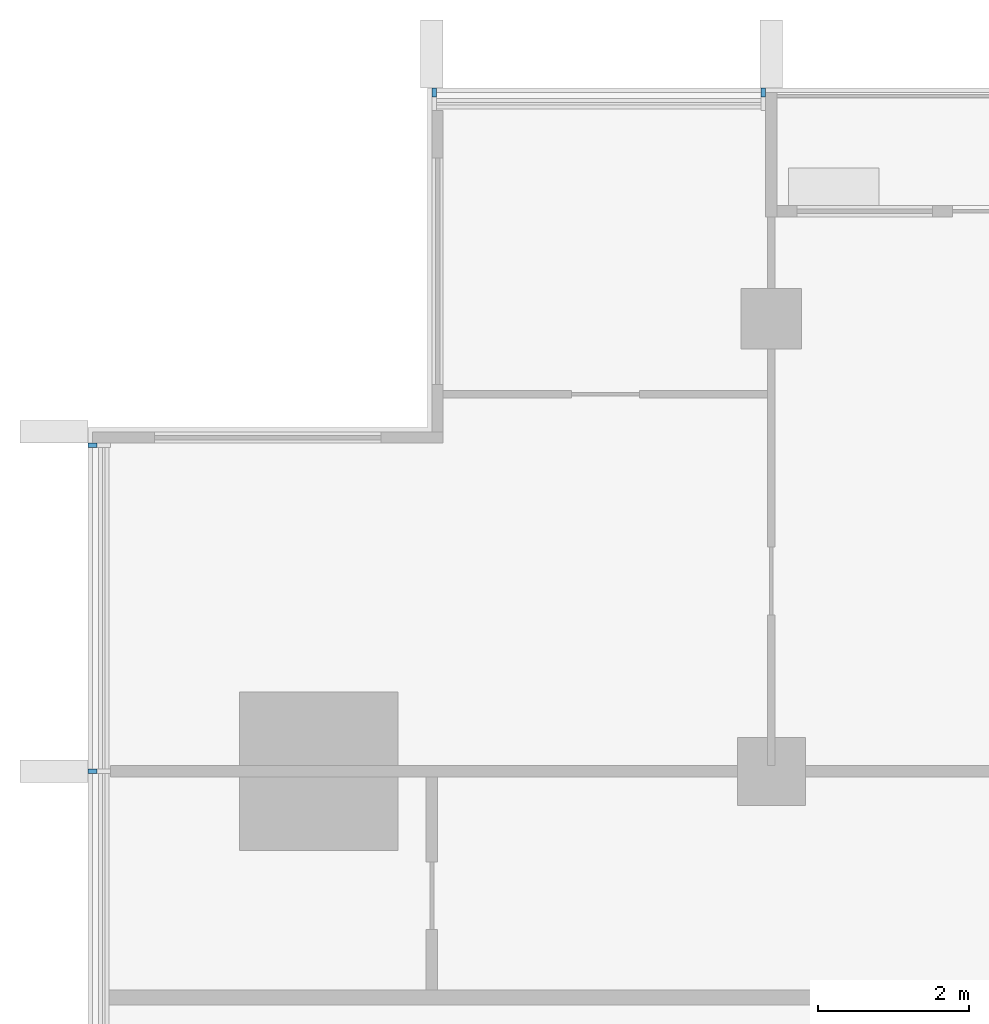
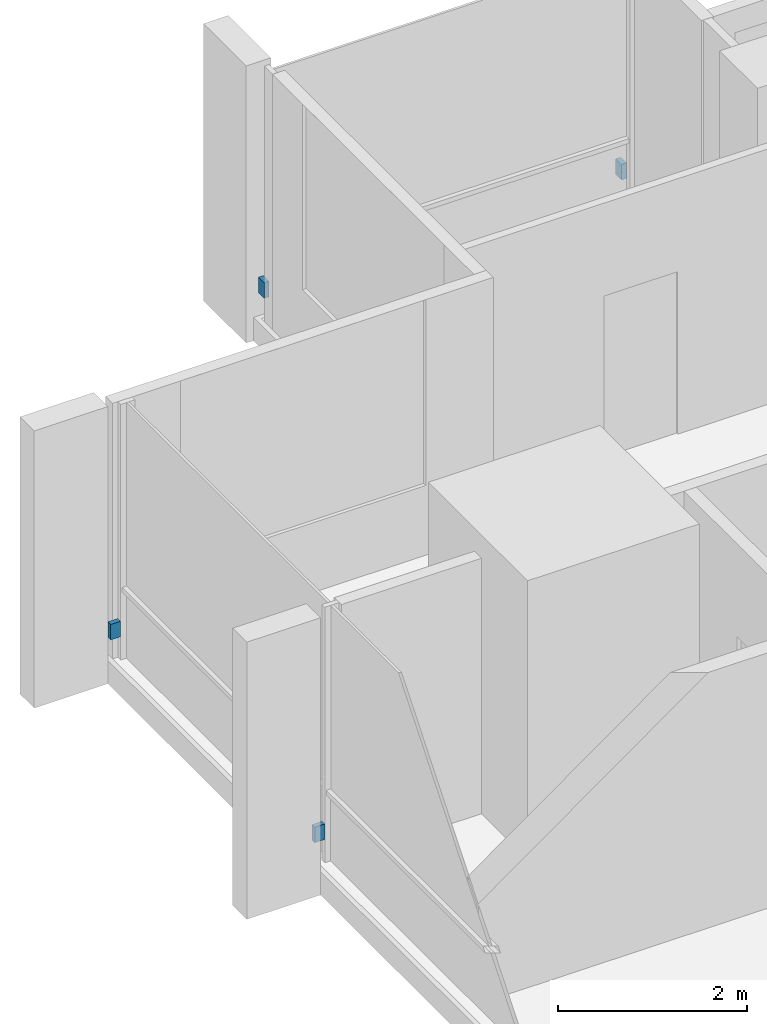
# One storey, part 13 of 15: 4 discrete accessories.
"""IFC4 building model written with IfcOpenShell, lengths in metres."""

from ifc_helpers import new_model, si_unit, direction, frame, origin, origin_2d, place, context, subcontext, project, spatial, rectangle, extrude, material, type_object, element, save


model = new_model("IFC4")

# Units and contexts
model_context = context("Model", 3, precision=1e-05, world=origin(), true_north=direction((0.0, 1.0)))
body_context = subcontext(model_context, "Body", "Model", "MODEL_VIEW")
ifc_project = project(units=[si_unit("LENGTHUNIT", "METRE"), si_unit("AREAUNIT", "SQUARE_METRE"), si_unit("VOLUMEUNIT", "CUBIC_METRE"), si_unit("PLANEANGLEUNIT", "RADIAN"), si_unit("MASSUNIT", "GRAM", prefix="KILO")], contexts=[model_context])

# Site, building, storey
site_placement = place(None, origin())
site = spatial("IfcSite", under=ifc_project, at=site_placement, CompositionType="ELEMENT")
building_placement = place(site_placement, origin())
building = spatial("IfcBuilding", under=site, at=building_placement, Name="Finial Court Residences", CompositionType="ELEMENT")
storey_placement = place(building_placement, frame((0.0, 0.0, 226.699951171875)))
storey = spatial("IfcBuildingStorey", under=building, at=storey_placement, Name="L57", CompositionType="ELEMENT", Elevation=226.699951171875)

# Discrete accessories
ifc_material = material(Name="Stainless steel 316", Category="steel")
discrete_accessory_type = type_object("IfcDiscreteAccessoryType", Name="Fin bracket, stainless steel 60 x 122 x 200", PredefinedType="BRACKET", material=ifc_material)
for number, where, z_axis, x_axis, name in (
    (1, (-14.969970703125, 16.498779296875, 0.30029296875), (0.0, 0.0, 1.0), (1.0, 0.0, 0.0), "E-L57-FIN-N1-BRK"),
    (2, (-10.60498046875, 16.498779296875, 0.30029296875), (0.0, 0.0, 1.0), (1.0, 0.0, 0.0), "E-L57-FIN-N2-BRK"),
):
    element("IfcDiscreteAccessory", number, at=place(storey_placement, frame(where, z_axis=z_axis, x_axis=x_axis)), inside=storey, type_object=discrete_accessory_type, Name=name, PredefinedType="BRACKET", context=body_context, shape_type="SweptSolid", body=[
        extrude(rectangle(XDim=0.06005859375, YDim=0.12255859375, at=origin_2d()), origin(), (0.0, 0.0, 1.0), 0.199951171875),
    ])
for number, where, z_axis, x_axis, name in (
    (3, (-19.498779296875, 7.5, 0.30029296875), (0.0, 0.0, 1.0), (1.0, 0.0, 0.0), "E-L57-FIN-W25-BRK"),
    (4, (-19.498779296875, 11.820068359375, 0.30029296875), (0.0, 0.0, 1.0), (1.0, 0.0, 0.0), "E-L57-FIN-W26-BRK"),
):
    element("IfcDiscreteAccessory", number, at=place(storey_placement, frame(where, z_axis=z_axis, x_axis=x_axis)), inside=storey, type_object=discrete_accessory_type, Name=name, PredefinedType="BRACKET", context=body_context, shape_type="SweptSolid", body=[
        extrude(rectangle(XDim=0.12255859375, YDim=0.06005859375, at=origin_2d()), origin(), (0.0, 0.0, 1.0), 0.199951171875),
    ])

save(model, "model.ifc")
